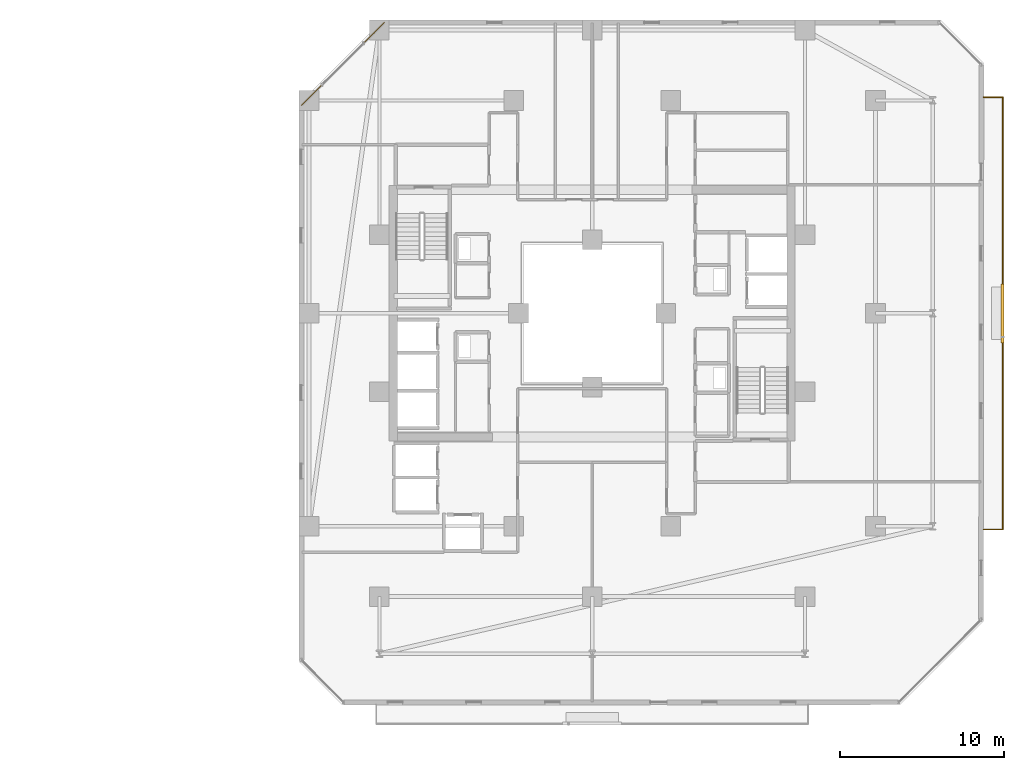
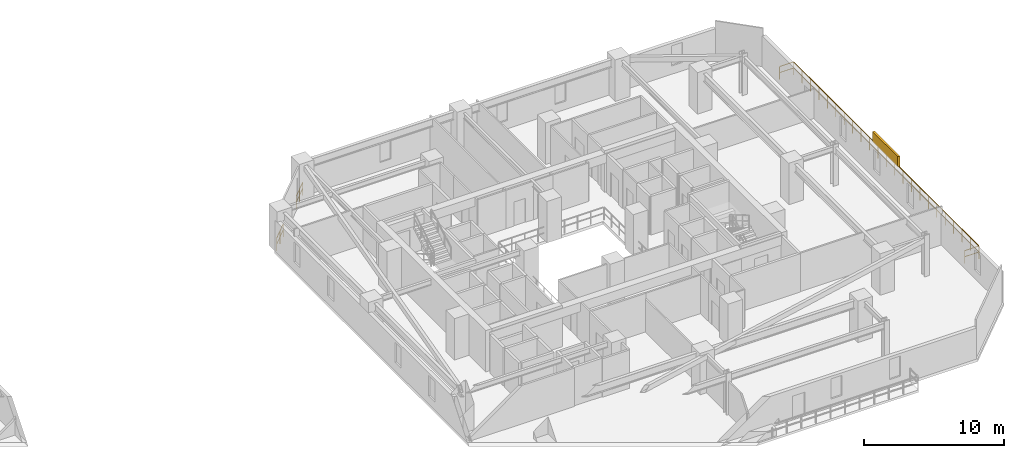
# One storey, part 33 of 33: 3 railings, 1 shading device.
"""IFC4 building model written with IfcOpenShell, lengths in metres."""

import ifcopenshell
import ifcopenshell.guid

model = None  # the IFC model being written
_history = None  # IfcOwnerHistory: only IFC2X3 demands one
_inside = {}  # id of a spatial element -> (the spatial element, [elements in it])
_under = {}  # id of a project, library or spatial element -> (it, [spatial elements below it])
_declared = {}  # id of a project -> (the project, [libraries it declares])
_typed = {}  # id of a type object -> (the type object, [elements of that type])
_made_of = {}  # id of a material, layer set ... -> (it, [elements and type objects made of it])


def new_model(schema):
    """Start an empty IFC model of exactly this schema.

    Asked for "IFC4X3", IfcOpenShell would pick the latest addendum, in which some entities
    have other attributes; the version numbers below select the first issue.
    IFC2X3 requires an IfcOwnerHistory on every rooted entity: one is made here for all.
    """
    global model, _history
    if schema == "IFC4X3":
        model = ifcopenshell.file(schema_version=(4, 3, 0, 0))
    else:
        model = ifcopenshell.file(schema=schema)
    _inside.clear()
    _under.clear()
    _declared.clear()
    _typed.clear()
    _made_of.clear()
    _history = None
    if model.schema == "IFC2X3":
        org = make("IfcOrganization", Name="unknown")
        user = make(
            "IfcPersonAndOrganization",
            ThePerson=make("IfcPerson", FamilyName="unknown"),
            TheOrganization=org,
        )
        app = make(
            "IfcApplication",
            ApplicationDeveloper=org,
            Version="unknown",
            ApplicationFullName="unknown",
            ApplicationIdentifier="unknown",
        )
        _history = make(
            "IfcOwnerHistory",
            OwningUser=user,
            OwningApplication=app,
            ChangeAction="ADDED",
            CreationDate=0,
        )
    return model


def make(cls, **values):
    """One entity of the class cls with the attributes given. An attribute that is None is left unset."""
    return model.create_entity(
        cls, **{name: value for name, value in values.items() if value is not None}
    )


def rooted(cls, **values):
    """An entity with a GlobalId (a new one), such as an element, a storey or a relation."""
    return make(cls, GlobalId=ifcopenshell.guid.new(), OwnerHistory=_history, **values)


def si_unit(unit_type, name, prefix=None):
    """IfcSIUnit, for example si_unit("LENGTHUNIT", "METRE", prefix="MILLI")."""
    return make("IfcSIUnit", UnitType=unit_type, Prefix=prefix, Name=name)


def assignment(units):
    """IfcUnitAssignment: the units of a project."""
    return None if units is None else make("IfcUnitAssignment", Units=units)


def point(xyz):
    """IfcCartesianPoint."""
    return None if xyz is None else make("IfcCartesianPoint", Coordinates=xyz)


def direction(xyz):
    """IfcDirection."""
    return None if xyz is None else make("IfcDirection", DirectionRatios=xyz)


def frame(location, z_axis=None, x_axis=None):
    """IfcAxis2Placement3D, a coordinate frame: its origin and axes. An axis left out is left unset."""
    return make(
        "IfcAxis2Placement3D",
        Location=point(location),
        Axis=direction(z_axis),
        RefDirection=direction(x_axis),
    )


def frame_2d(location, x_axis=None):
    """IfcAxis2Placement2D, a coordinate frame in the plane: its origin and x axis."""
    return make(
        "IfcAxis2Placement2D", Location=point(location), RefDirection=direction(x_axis)
    )


def origin():
    """The frame at (0, 0, 0) with its axes left unset."""
    return frame((0.0, 0.0, 0.0))


def origin_2d():
    """The frame at (0, 0) in the plane with its x axis left unset."""
    return frame_2d((0.0, 0.0))


def place(relative_to, where):
    """IfcLocalPlacement: puts the frame where relative to a parent placement (None: the world)."""
    return make(
        "IfcLocalPlacement", PlacementRelTo=relative_to, RelativePlacement=where
    )


def context(
    kind, dimensions, precision=None, world=None, true_north=None, identifier=None
):
    """IfcGeometricRepresentationContext, for example the 3D "Model" context."""
    return make(
        "IfcGeometricRepresentationContext",
        ContextIdentifier=identifier,
        ContextType=kind,
        CoordinateSpaceDimension=dimensions,
        Precision=precision,
        WorldCoordinateSystem=world,
        TrueNorth=true_north,
    )


def subcontext(parent, identifier, kind, view, scale=None):
    """IfcGeometricRepresentationSubContext, for example "Body" below "Model"."""
    return make(
        "IfcGeometricRepresentationSubContext",
        ContextIdentifier=identifier,
        ContextType=kind,
        ParentContext=parent,
        TargetScale=scale,
        TargetView=view,
    )


def project(units=None, contexts=None):
    """IfcProject with its units and contexts."""
    return rooted(
        "IfcProject",
        Name="project",
        RepresentationContexts=contexts,
        UnitsInContext=assignment(units),
    )


def spatial(cls, under=None, at=None, **own):
    """A site, building, storey or space (cls), placed at a placement, below another one or the project."""
    s = rooted(cls, ObjectPlacement=at, **own)
    if under is not None:
        _under.setdefault(under.id(), (under, []))[1].append(s)
    return s


def profile(cls, at=None, kind="AREA", **sizes):
    """A parametric profile (cls). Its sizes go by their IFC names, for example OverallWidth=200.0."""
    return make(cls, ProfileType=kind, Position=at, **sizes)


def rectangle(**sizes):
    """IfcRectangleProfileDef."""
    return profile("IfcRectangleProfileDef", **sizes)


def extrude(swept, where, along, depth):
    """IfcExtrudedAreaSolid: the profile swept, set in the frame where, extruded along a direction by depth."""
    return make(
        "IfcExtrudedAreaSolid",
        SweptArea=swept,
        Position=where,
        ExtrudedDirection=direction(along),
        Depth=depth,
    )


def shape(context_of_items, identifier, shape_type, items):
    """IfcShapeRepresentation: the items that make up one representation, for example the "Body"."""
    return make(
        "IfcShapeRepresentation",
        ContextOfItems=context_of_items,
        RepresentationIdentifier=identifier,
        RepresentationType=shape_type,
        Items=items,
    )


def material(Name=None, Category=None):
    """IfcMaterial."""
    return make("IfcMaterial", Name=Name, Category=Category)


def made_of(thing, what):
    """Note that an element or type object is made of a material, layer set ...; save() writes the relation."""
    if what is not None:
        _made_of.setdefault(what.id(), (what, []))[1].append(thing)
    return thing


def type_object(cls, material=None, **own):
    """A type object (cls), such as IfcWallType, which elements share."""
    return made_of(rooted(cls, **own), material)


def element(
    cls,
    number,
    at=None,
    inside=None,
    cuts=None,
    type_object=None,
    material=None,
    context=None,
    identifier="Body",
    shape_type=None,
    held_by="IfcProductDefinitionShape",
    body=None,
    shapes=None,
    **own,
):
    """One element of the class cls, such as IfcWall. Its Tag is "e" and its number.

    at: its placement. inside: the storey or other place that contains it. cuts: it is an
    opening in that element (IfcRelVoidsElement). A single representation is given by context,
    identifier, shape_type and body (its items); several are given by shapes. held_by: the class
    of the entity that holds the representations. save() writes the other relations.
    """
    e = rooted(cls, Tag="e%d" % number, ObjectPlacement=at, **own)
    if body is not None:
        shapes = [shape(context, identifier, shape_type, body)]
    if shapes is not None:
        e.Representation = make(held_by, Representations=shapes)
    if inside is not None:
        _inside.setdefault(inside.id(), (inside, []))[1].append(e)
    if cuts is not None:
        rooted(
            "IfcRelVoidsElement", RelatingBuildingElement=cuts, RelatedOpeningElement=e
        )
    if type_object is not None:
        _typed.setdefault(type_object.id(), (type_object, []))[1].append(e)
    return made_of(e, material)


def aggregate(whole, parts):
    """IfcRelAggregates: a whole, such as a stair, and the parts it consists of."""
    return rooted("IfcRelAggregates", RelatingObject=whole, RelatedObjects=parts)


def save(model, path):
    """Write the relations noted so far, then the file.

    IfcRelAggregates (storeys below a building ...), IfcRelContainedInSpatialStructure (elements
    in a storey), IfcRelDefinesByType, IfcRelAssociatesMaterial and IfcRelDeclares: one each for
    every whole, place, type object, material and project.
    """
    for whole, parts in _under.values():
        aggregate(whole, parts)
    for where, things in _inside.values():
        rooted(
            "IfcRelContainedInSpatialStructure",
            RelatedElements=things,
            RelatingStructure=where,
        )
    for kind, things in _typed.values():
        rooted("IfcRelDefinesByType", RelatedObjects=things, RelatingType=kind)
    for what, things in _made_of.values():
        rooted("IfcRelAssociatesMaterial", RelatedObjects=things, RelatingMaterial=what)
    for by, libraries in _declared.values():
        rooted("IfcRelDeclares", RelatingContext=by, RelatedDefinitions=libraries)
    model.write(path)


model = new_model("IFC4")

# Units and contexts
model_context = context("Model", 3, precision=1e-05, world=origin(), true_north=direction((0.0, 1.0)))
body_context = subcontext(model_context, "Body", "Model", "MODEL_VIEW")
ifc_project = project(units=[si_unit("LENGTHUNIT", "METRE"), si_unit("AREAUNIT", "SQUARE_METRE"), si_unit("VOLUMEUNIT", "CUBIC_METRE"), si_unit("PLANEANGLEUNIT", "RADIAN"), si_unit("MASSUNIT", "GRAM", prefix="KILO")], contexts=[model_context])

# Site, building, storey
site_placement = place(None, origin())
site = spatial("IfcSite", under=ifc_project, at=site_placement, CompositionType="ELEMENT")
building_placement = place(site_placement, origin())
building = spatial("IfcBuilding", under=site, at=building_placement, Name="Thornwick Lancets Civic Towers", CompositionType="ELEMENT")
storey_placement = place(building_placement, frame((0.0, 0.0, 134.10009765625)))
storey = spatial("IfcBuildingStorey", under=building, at=storey_placement, Name="L35", CompositionType="ELEMENT", Elevation=134.10009765625)

# Railings
ifc_material_1 = material(Name="Terracotta-capped laminated glass balustrade S355", Category="masonry")
railing_type = type_object("IfcRailingType", Name="RAIL_TERR_GUARD", PredefinedType="GUARDRAIL", material=ifc_material_1)
for number, where, name in (
    (1, (75.800537109375, 44.75634765625, 0.0), "L35 Tower B Chamfer Spandrel Guard E5-1"),
    (2, (72.006103515625, 40.9619140625, 0.0), "L35 Tower B Chamfer Spandrel Guard E5-2"),
):
    element("IfcRailing", number, at=place(storey_placement, frame(where)), inside=storey, type_object=railing_type, Name=name, PredefinedType="GUARDRAIL", context=body_context, shape_type="SweptSolid", body=[
        extrude(rectangle(XDim=0.048095703125, YDim=0.048095703125, at=origin_2d()), frame((0.0, 0.0, 1.1259765625), z_axis=(-0.707106781187, -0.707106781187, 0.0), x_axis=(0.707106781187, -0.707106781187, 0.0)), (0.0, 0.0, 1.0), 1.785400390625),
        extrude(rectangle(XDim=0.0419921875, YDim=0.0419921875, at=origin_2d()), frame((-0.026611328125, -0.026611328125, 0.597900390625), z_axis=(-0.707106781187, -0.707106781187, 0.0), x_axis=(0.707106781187, -0.707106781187, 0.0)), (0.0, 0.0, 1.0), 0.817626953125),
        extrude(rectangle(XDim=0.0419921875, YDim=0.0419921875, at=origin_2d()), frame((-0.65771484375, -0.65771484375, 0.597900390625), z_axis=(-0.707106781187, -0.707106781187, 0.0), x_axis=(0.707106781187, -0.707106781187, 0.0)), (0.0, 0.0, 1.0), 0.817626953125),
        extrude(rectangle(XDim=0.0419921875, YDim=0.0419921875, at=origin_2d()), origin(), (0.0, 0.0, 1.0), 1.095703125),
        extrude(rectangle(XDim=0.0419921875, YDim=0.0419921875, at=origin_2d()), frame((-0.63134765625, -0.63134765625, 0.0)), (0.0, 0.0, 1.0), 1.095703125),
        extrude(rectangle(XDim=0.0419921875, YDim=0.0419921875, at=origin_2d()), frame((-1.262451171875, -1.262451171875, 0.0)), (0.0, 0.0, 1.0), 1.095703125),
    ])
railing_placement = place(storey_placement, frame((112.39990234375, 13.800048828125, 0.0)))
element("IfcRailing", 3, at=railing_placement, inside=storey, type_object=railing_type, Name="L35 Tower B Balcony Guard E", PredefinedType="GUARDRAIL", context=body_context, shape_type="SweptSolid", body=[
    extrude(rectangle(XDim=0.048095703125, YDim=0.048095703125, at=origin_2d()), frame((0.0, 0.0, 1.1259765625), z_axis=(1.0, 0.0, 0.0), x_axis=(0.0, 1.0, 0.0)), (0.0, 0.0, 1.0), 1.138916015625),
    extrude(rectangle(XDim=0.0419921875, YDim=0.0419921875, at=origin_2d()), frame((0.03759765625, 0.0, 0.597900390625), z_axis=(1.0, 0.0, 0.0), x_axis=(0.0, 1.0, 0.0)), (0.0, 0.0, 1.0), 1.09521484375),
    extrude(rectangle(XDim=0.048095703125, YDim=0.048095703125, at=origin_2d()), frame((1.170166015625, 0.03125, 1.1259765625), z_axis=(0.0, 1.0, 0.0), x_axis=(-1.0, 0.0, 0.0)), (0.0, 0.0, 1.0), 26.33740234375),
    extrude(rectangle(XDim=0.0419921875, YDim=0.0419921875, at=origin_2d()), frame((1.170166015625, 0.03759765625, 0.597900390625), z_axis=(0.0, 1.0, 0.0), x_axis=(-1.0, 0.0, 0.0)), (0.0, 0.0, 1.0), 1.125),
    extrude(rectangle(XDim=0.0419921875, YDim=0.0419921875, at=origin_2d()), frame((1.170166015625, 1.237548828125, 0.597900390625), z_axis=(0.0, 1.0, 0.0), x_axis=(-1.0, 0.0, 0.0)), (0.0, 0.0, 1.0), 1.125),
    extrude(rectangle(XDim=0.0419921875, YDim=0.0419921875, at=origin_2d()), frame((1.170166015625, 2.4375, 0.597900390625), z_axis=(0.0, 1.0, 0.0), x_axis=(-1.0, 0.0, 0.0)), (0.0, 0.0, 1.0), 1.125),
    extrude(rectangle(XDim=0.0419921875, YDim=0.0419921875, at=origin_2d()), frame((1.170166015625, 3.637451171875, 0.597900390625), z_axis=(0.0, 1.0, 0.0), x_axis=(-1.0, 0.0, 0.0)), (0.0, 0.0, 1.0), 1.125),
    extrude(rectangle(XDim=0.0419921875, YDim=0.0419921875, at=origin_2d()), frame((1.170166015625, 4.83740234375, 0.597900390625), z_axis=(0.0, 1.0, 0.0), x_axis=(-1.0, 0.0, 0.0)), (0.0, 0.0, 1.0), 1.125),
    extrude(rectangle(XDim=0.0419921875, YDim=0.0419921875, at=origin_2d()), frame((1.170166015625, 6.037353515625, 0.597900390625), z_axis=(0.0, 1.0, 0.0), x_axis=(-1.0, 0.0, 0.0)), (0.0, 0.0, 1.0), 1.125),
    extrude(rectangle(XDim=0.0419921875, YDim=0.0419921875, at=origin_2d()), frame((1.170166015625, 7.237548828125, 0.597900390625), z_axis=(0.0, 1.0, 0.0), x_axis=(-1.0, 0.0, 0.0)), (0.0, 0.0, 1.0), 1.125),
    extrude(rectangle(XDim=0.0419921875, YDim=0.0419921875, at=origin_2d()), frame((1.170166015625, 8.4375, 0.597900390625), z_axis=(0.0, 1.0, 0.0), x_axis=(-1.0, 0.0, 0.0)), (0.0, 0.0, 1.0), 1.125),
    extrude(rectangle(XDim=0.0419921875, YDim=0.0419921875, at=origin_2d()), frame((1.170166015625, 9.637451171875, 0.597900390625), z_axis=(0.0, 1.0, 0.0), x_axis=(-1.0, 0.0, 0.0)), (0.0, 0.0, 1.0), 1.125),
    extrude(rectangle(XDim=0.0419921875, YDim=0.0419921875, at=origin_2d()), frame((1.170166015625, 10.83740234375, 0.597900390625), z_axis=(0.0, 1.0, 0.0), x_axis=(-1.0, 0.0, 0.0)), (0.0, 0.0, 1.0), 1.125),
    extrude(rectangle(XDim=0.0419921875, YDim=0.0419921875, at=origin_2d()), frame((1.170166015625, 12.037353515625, 0.597900390625), z_axis=(0.0, 1.0, 0.0), x_axis=(-1.0, 0.0, 0.0)), (0.0, 0.0, 1.0), 1.125),
    extrude(rectangle(XDim=0.0419921875, YDim=0.0419921875, at=origin_2d()), frame((1.170166015625, 13.237548828125, 0.597900390625), z_axis=(0.0, 1.0, 0.0), x_axis=(-1.0, 0.0, 0.0)), (0.0, 0.0, 1.0), 1.125),
    extrude(rectangle(XDim=0.0419921875, YDim=0.0419921875, at=origin_2d()), frame((1.170166015625, 14.4375, 0.597900390625), z_axis=(0.0, 1.0, 0.0), x_axis=(-1.0, 0.0, 0.0)), (0.0, 0.0, 1.0), 1.125),
    extrude(rectangle(XDim=0.0419921875, YDim=0.0419921875, at=origin_2d()), frame((1.170166015625, 15.637451171875, 0.597900390625), z_axis=(0.0, 1.0, 0.0), x_axis=(-1.0, 0.0, 0.0)), (0.0, 0.0, 1.0), 1.125),
    extrude(rectangle(XDim=0.0419921875, YDim=0.0419921875, at=origin_2d()), frame((1.170166015625, 16.83740234375, 0.597900390625), z_axis=(0.0, 1.0, 0.0), x_axis=(-1.0, 0.0, 0.0)), (0.0, 0.0, 1.0), 1.125),
    extrude(rectangle(XDim=0.0419921875, YDim=0.0419921875, at=origin_2d()), frame((1.170166015625, 18.037353515625, 0.597900390625), z_axis=(0.0, 1.0, 0.0), x_axis=(-1.0, 0.0, 0.0)), (0.0, 0.0, 1.0), 1.125),
    extrude(rectangle(XDim=0.0419921875, YDim=0.0419921875, at=origin_2d()), frame((1.170166015625, 19.2373046875, 0.597900390625), z_axis=(0.0, 1.0, 0.0), x_axis=(-1.0, 0.0, 0.0)), (0.0, 0.0, 1.0), 1.125),
    extrude(rectangle(XDim=0.0419921875, YDim=0.0419921875, at=origin_2d()), frame((1.170166015625, 20.4375, 0.597900390625), z_axis=(0.0, 1.0, 0.0), x_axis=(-1.0, 0.0, 0.0)), (0.0, 0.0, 1.0), 1.125),
    extrude(rectangle(XDim=0.0419921875, YDim=0.0419921875, at=origin_2d()), frame((1.170166015625, 21.637451171875, 0.597900390625), z_axis=(0.0, 1.0, 0.0), x_axis=(-1.0, 0.0, 0.0)), (0.0, 0.0, 1.0), 1.125),
    extrude(rectangle(XDim=0.0419921875, YDim=0.0419921875, at=origin_2d()), frame((1.170166015625, 22.83740234375, 0.597900390625), z_axis=(0.0, 1.0, 0.0), x_axis=(-1.0, 0.0, 0.0)), (0.0, 0.0, 1.0), 1.125),
    extrude(rectangle(XDim=0.0419921875, YDim=0.0419921875, at=origin_2d()), frame((1.170166015625, 24.037353515625, 0.597900390625), z_axis=(0.0, 1.0, 0.0), x_axis=(-1.0, 0.0, 0.0)), (0.0, 0.0, 1.0), 1.125),
    extrude(rectangle(XDim=0.0419921875, YDim=0.0419921875, at=origin_2d()), frame((1.170166015625, 25.2373046875, 0.597900390625), z_axis=(0.0, 1.0, 0.0), x_axis=(-1.0, 0.0, 0.0)), (0.0, 0.0, 1.0), 1.125),
    extrude(rectangle(XDim=0.048095703125, YDim=0.048095703125, at=origin_2d()), frame((1.138916015625, 26.39990234375, 1.1259765625), z_axis=(-1.0, 0.0, 0.0), x_axis=(0.0, -1.0, 0.0)), (0.0, 0.0, 1.0), 1.138916015625),
    extrude(rectangle(XDim=0.0419921875, YDim=0.0419921875, at=origin_2d()), frame((1.132568359375, 26.39990234375, 0.597900390625), z_axis=(-1.0, 0.0, 0.0), x_axis=(0.0, -1.0, 0.0)), (0.0, 0.0, 1.0), 1.09521484375),
    extrude(rectangle(XDim=0.0419921875, YDim=0.0419921875, at=origin_2d()), origin(), (0.0, 0.0, 1.0), 1.095703125),
    extrude(rectangle(XDim=0.0419921875, YDim=0.0419921875, at=origin_2d()), frame((1.170166015625, 0.0, 0.0)), (0.0, 0.0, 1.0), 1.095703125),
    extrude(rectangle(XDim=0.0419921875, YDim=0.0419921875, at=origin_2d()), frame((1.170166015625, 1.199951171875, 0.0)), (0.0, 0.0, 1.0), 1.095703125),
    extrude(rectangle(XDim=0.0419921875, YDim=0.0419921875, at=origin_2d()), frame((1.170166015625, 2.39990234375, 0.0)), (0.0, 0.0, 1.0), 1.095703125),
    extrude(rectangle(XDim=0.0419921875, YDim=0.0419921875, at=origin_2d()), frame((1.170166015625, 3.60009765625, 0.0)), (0.0, 0.0, 1.0), 1.095703125),
    extrude(rectangle(XDim=0.0419921875, YDim=0.0419921875, at=origin_2d()), frame((1.170166015625, 4.800048828125, 0.0)), (0.0, 0.0, 1.0), 1.095703125),
    extrude(rectangle(XDim=0.0419921875, YDim=0.0419921875, at=origin_2d()), frame((1.170166015625, 6.0, 0.0)), (0.0, 0.0, 1.0), 1.095703125),
    extrude(rectangle(XDim=0.0419921875, YDim=0.0419921875, at=origin_2d()), frame((1.170166015625, 7.199951171875, 0.0)), (0.0, 0.0, 1.0), 1.095703125),
    extrude(rectangle(XDim=0.0419921875, YDim=0.0419921875, at=origin_2d()), frame((1.170166015625, 8.39990234375, 0.0)), (0.0, 0.0, 1.0), 1.095703125),
    extrude(rectangle(XDim=0.0419921875, YDim=0.0419921875, at=origin_2d()), frame((1.170166015625, 9.599853515625, 0.0)), (0.0, 0.0, 1.0), 1.095703125),
    extrude(rectangle(XDim=0.0419921875, YDim=0.0419921875, at=origin_2d()), frame((1.170166015625, 10.800048828125, 0.0)), (0.0, 0.0, 1.0), 1.095703125),
    extrude(rectangle(XDim=0.0419921875, YDim=0.0419921875, at=origin_2d()), frame((1.170166015625, 12.0, 0.0)), (0.0, 0.0, 1.0), 1.095703125),
    extrude(rectangle(XDim=0.0419921875, YDim=0.0419921875, at=origin_2d()), frame((1.170166015625, 13.199951171875, 0.0)), (0.0, 0.0, 1.0), 1.095703125),
    extrude(rectangle(XDim=0.0419921875, YDim=0.0419921875, at=origin_2d()), frame((1.170166015625, 14.39990234375, 0.0)), (0.0, 0.0, 1.0), 1.095703125),
    extrude(rectangle(XDim=0.0419921875, YDim=0.0419921875, at=origin_2d()), frame((1.170166015625, 15.599853515625, 0.0)), (0.0, 0.0, 1.0), 1.095703125),
    extrude(rectangle(XDim=0.0419921875, YDim=0.0419921875, at=origin_2d()), frame((1.170166015625, 16.800048828125, 0.0)), (0.0, 0.0, 1.0), 1.095703125),
    extrude(rectangle(XDim=0.0419921875, YDim=0.0419921875, at=origin_2d()), frame((1.170166015625, 18.0, 0.0)), (0.0, 0.0, 1.0), 1.095703125),
    extrude(rectangle(XDim=0.0419921875, YDim=0.0419921875, at=origin_2d()), frame((1.170166015625, 19.199951171875, 0.0)), (0.0, 0.0, 1.0), 1.095703125),
    extrude(rectangle(XDim=0.0419921875, YDim=0.0419921875, at=origin_2d()), frame((1.170166015625, 20.39990234375, 0.0)), (0.0, 0.0, 1.0), 1.095703125),
    extrude(rectangle(XDim=0.0419921875, YDim=0.0419921875, at=origin_2d()), frame((1.170166015625, 21.599853515625, 0.0)), (0.0, 0.0, 1.0), 1.095703125),
    extrude(rectangle(XDim=0.0419921875, YDim=0.0419921875, at=origin_2d()), frame((1.170166015625, 22.7998046875, 0.0)), (0.0, 0.0, 1.0), 1.095703125),
    extrude(rectangle(XDim=0.0419921875, YDim=0.0419921875, at=origin_2d()), frame((1.170166015625, 24.0, 0.0)), (0.0, 0.0, 1.0), 1.095703125),
    extrude(rectangle(XDim=0.0419921875, YDim=0.0419921875, at=origin_2d()), frame((1.170166015625, 25.199951171875, 0.0)), (0.0, 0.0, 1.0), 1.095703125),
    extrude(rectangle(XDim=0.0419921875, YDim=0.0419921875, at=origin_2d()), frame((1.170166015625, 26.39990234375, 0.0)), (0.0, 0.0, 1.0), 1.095703125),
    extrude(rectangle(XDim=0.0419921875, YDim=0.0419921875, at=origin_2d()), frame((0.0, 26.39990234375, 0.0)), (0.0, 0.0, 1.0), 1.095703125),
])

# Shading device
ifc_material_2 = material(Name="Extruded terracotta baguette solar screen", Category="masonry")
shading_device_type = type_object("IfcShadingDeviceType", Name="SHADE_BAGUETTE", PredefinedType="JALOUSIE", material=ifc_material_2)
shading_device_placement = place(storey_placement, frame((113.56005859375, 27.0, 1.119873046875), z_axis=(0.0, 0.0, 1.0), x_axis=(0.0, 1.0, 0.0)))
element("IfcShadingDevice", 4, at=shading_device_placement, inside=storey, type_object=shading_device_type, Name="L35 Tower B Terracotta Baguette Screen E", PredefinedType="JALOUSIE", context=body_context, shape_type="SweptSolid", body=[
    extrude(rectangle(XDim=3.60009765625, YDim=0.179931640625, at=origin_2d()), origin(), (0.0, 0.0, 1.0), 0.89990234375),
])

save(model, "model.ifc")
